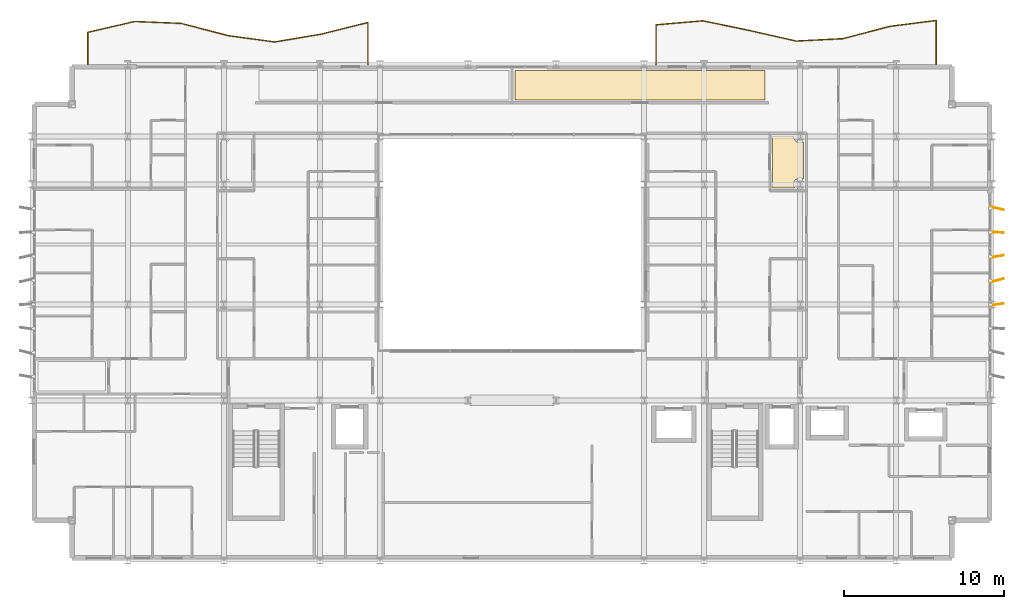
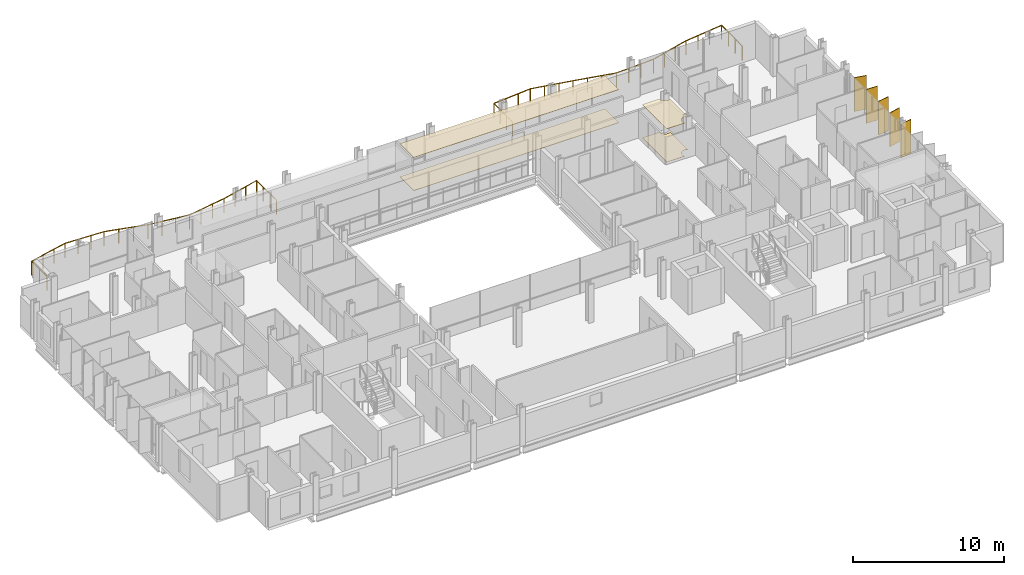
# One storey, part 38 of 38: 5 shading devices, 4 coverings, 2 railings.
"""IFC4 building model written with IfcOpenShell, lengths in metres."""

from ifc_helpers import new_model, si_unit, direction, frame, origin, origin_2d, place, context, subcontext, project, spatial, polyline, rectangle, circle, outline, extrude, material, layer, layer_set, type_object, element, save


model = new_model("IFC4")

# Units and contexts
model_context = context("Model", 3, precision=1e-05, world=origin(), true_north=direction((0.0, 1.0)))
body_context = subcontext(model_context, "Body", "Model", "MODEL_VIEW")
ifc_project = project(units=[si_unit("LENGTHUNIT", "METRE"), si_unit("AREAUNIT", "SQUARE_METRE"), si_unit("VOLUMEUNIT", "CUBIC_METRE"), si_unit("PLANEANGLEUNIT", "RADIAN"), si_unit("MASSUNIT", "GRAM", prefix="KILO")], contexts=[model_context])

# Site, building, storey
site_placement = place(None, origin())
site = spatial("IfcSite", under=ifc_project, at=site_placement, CompositionType="ELEMENT")
building_placement = place(site_placement, origin())
building = spatial("IfcBuilding", under=site, at=building_placement, Name="Brevholm Reach", CompositionType="ELEMENT")
storey_placement = place(building_placement, frame((0.0, 0.0, 71.39990234375)))
storey = spatial("IfcBuildingStorey", under=building, at=storey_placement, Name="L20", CompositionType="ELEMENT", Elevation=71.39990234375)

# Coverings
ifc_material_1 = material(Name="Moisture-Resistant Skimmed Gypsum Plasterboard Ceiling", Category="gypsum")
ifc_layer_1 = layer(ifc_material_1, 0.030029296875)
ifc_layer_set_1 = layer_set([ifc_layer_1], Name="Moisture-Resistant Skimmed Gypsum Plasterboard Ceiling")
covering_type_1 = type_object("IfcCoveringType", Name="COV-CLG-GYP", PredefinedType="CEILING", material=ifc_layer_set_1)
covering_1_placement = place(storey_placement, frame((0.0, 0.0, 2.670166015625)))
element("IfcCovering", 1, at=covering_1_placement, inside=storey, type_object=covering_type_1, Name="L20 Suspended Ceiling L20-59", PredefinedType="CEILING", context=body_context, shape_type="SweptSolid", body=[
    extrude(outline(polyline([(46.2919921875, 26.51611328125), (47.600830078125, 26.51611328125), (47.60009765625, 26.5), (47.601806640625, 26.460693359375), (47.607666015625, 26.422119140625), (47.6171875, 26.3837890625), (47.63037109375, 26.346923828125), (47.647216796875, 26.311279296875), (47.66748046875, 26.27783203125), (47.69091796875, 26.24609375), (47.71728515625, 26.21728515625), (47.74609375, 26.19091796875), (47.77783203125, 26.16748046875), (47.811279296875, 26.147216796875), (47.846923828125, 26.13037109375), (47.8837890625, 26.1171875), (47.922119140625, 26.107666015625), (47.960693359375, 26.101806640625), (48.0, 26.10009765625), (48.039306640625, 26.101806640625), (48.077880859375, 26.107666015625), (48.1162109375, 26.1171875), (48.153076171875, 26.13037109375), (48.188720703125, 26.147216796875), (48.216064453125, 26.163818359375), (48.216064453125, 23.836181640625), (48.188720703125, 23.852783203125), (48.153076171875, 23.86962890625), (48.1162109375, 23.8828125), (48.077880859375, 23.892333984375), (48.039306640625, 23.898193359375), (48.0, 23.89990234375), (47.960693359375, 23.898193359375), (47.922119140625, 23.892333984375), (47.8837890625, 23.8828125), (47.846923828125, 23.86962890625), (47.811279296875, 23.852783203125), (47.77783203125, 23.83251953125), (47.74609375, 23.80908203125), (47.71728515625, 23.78271484375), (47.69091796875, 23.75390625), (47.66748046875, 23.72216796875), (47.647216796875, 23.688720703125), (47.63037109375, 23.653076171875), (47.6171875, 23.6162109375), (47.607666015625, 23.577880859375), (47.601806640625, 23.539306640625), (47.60009765625, 23.5), (47.601806640625, 23.460693359375), (47.607666015625, 23.422119140625), (47.6171875, 23.3837890625), (47.63037109375, 23.346923828125), (47.647216796875, 23.311279296875), (47.666015625, 23.280029296875), (46.2919921875, 23.280029296875), (46.2919921875, 26.51611328125)])), origin(), (0.0, 0.0, 1.0), 0.030029296875),
])
covering_2_placement = place(storey_placement, frame((0.0, 0.0, 2.670166015625)))
element("IfcCovering", 2, at=covering_2_placement, inside=storey, type_object=covering_type_1, Name="L20 Suspended Ceiling L20-76", PredefinedType="CEILING", context=body_context, shape_type="SweptSolid", body=[
    extrude(outline(polyline([(32.626220703125, 30.6201171875), (32.6337890625, 30.6171875), (32.672119140625, 30.607666015625), (32.710693359375, 30.601806640625), (32.75, 30.60009765625), (32.789306640625, 30.601806640625), (32.827880859375, 30.607666015625), (32.8662109375, 30.6171875), (32.873779296875, 30.6201171875), (38.126220703125, 30.6201171875), (38.1337890625, 30.6171875), (38.172119140625, 30.607666015625), (38.210693359375, 30.601806640625), (38.25, 30.60009765625), (38.289306640625, 30.601806640625), (38.327880859375, 30.607666015625), (38.3662109375, 30.6171875), (38.373779296875, 30.6201171875), (41.876220703125, 30.6201171875), (41.8837890625, 30.6171875), (41.922119140625, 30.607666015625), (41.960693359375, 30.601806640625), (42.0, 30.60009765625), (42.039306640625, 30.601806640625), (42.077880859375, 30.607666015625), (42.1162109375, 30.6171875), (42.123779296875, 30.6201171875), (45.820068359375, 30.6201171875), (45.820068359375, 28.783935546875), (30.18408203125, 28.783935546875), (30.18408203125, 30.6201171875), (32.626220703125, 30.6201171875)])), origin(), (0.0, 0.0, 1.0), 0.030029296875),
])
ifc_material_2 = material(Name="Engineered European Oak Acoustic Plank Flooring", Category="timber")
ifc_layer_2 = layer(ifc_material_2, 0.02197265625)
ifc_layer_set_2 = layer_set([ifc_layer_2], Name="Engineered European Oak Acoustic Plank Flooring")
covering_type_2 = type_object("IfcCoveringType", Name="COV-FLR-OAK", PredefinedType="FLOORING", material=ifc_layer_set_2)
covering_3_placement = place(storey_placement, origin())
element("IfcCovering", 3, at=covering_3_placement, inside=storey, type_object=covering_type_2, Name="L20 Floor Finish L20-59", PredefinedType="FLOORING", context=body_context, shape_type="SweptSolid", body=[
    extrude(outline(polyline([(46.2919921875, 26.51611328125), (47.600830078125, 26.51611328125), (47.60009765625, 26.5), (47.601806640625, 26.460693359375), (47.607666015625, 26.422119140625), (47.6171875, 26.3837890625), (47.63037109375, 26.346923828125), (47.647216796875, 26.311279296875), (47.66748046875, 26.27783203125), (47.69091796875, 26.24609375), (47.71728515625, 26.21728515625), (47.74609375, 26.19091796875), (47.77783203125, 26.16748046875), (47.811279296875, 26.147216796875), (47.846923828125, 26.13037109375), (47.8837890625, 26.1171875), (47.922119140625, 26.107666015625), (47.960693359375, 26.101806640625), (48.0, 26.10009765625), (48.039306640625, 26.101806640625), (48.077880859375, 26.107666015625), (48.1162109375, 26.1171875), (48.153076171875, 26.13037109375), (48.188720703125, 26.147216796875), (48.216064453125, 26.163818359375), (48.216064453125, 23.836181640625), (48.188720703125, 23.852783203125), (48.153076171875, 23.86962890625), (48.1162109375, 23.8828125), (48.077880859375, 23.892333984375), (48.039306640625, 23.898193359375), (48.0, 23.89990234375), (47.960693359375, 23.898193359375), (47.922119140625, 23.892333984375), (47.8837890625, 23.8828125), (47.846923828125, 23.86962890625), (47.811279296875, 23.852783203125), (47.77783203125, 23.83251953125), (47.74609375, 23.80908203125), (47.71728515625, 23.78271484375), (47.69091796875, 23.75390625), (47.66748046875, 23.72216796875), (47.647216796875, 23.688720703125), (47.63037109375, 23.653076171875), (47.6171875, 23.6162109375), (47.607666015625, 23.577880859375), (47.601806640625, 23.539306640625), (47.60009765625, 23.5), (47.601806640625, 23.460693359375), (47.607666015625, 23.422119140625), (47.6171875, 23.3837890625), (47.63037109375, 23.346923828125), (47.647216796875, 23.311279296875), (47.666015625, 23.280029296875), (46.2919921875, 23.280029296875), (46.2919921875, 26.51611328125)])), origin(), (0.0, 0.0, 1.0), 0.022216796875),
])
ifc_material_3 = material(Name="Honed Portland-Aggregate Resin Terrazzo Flooring", Category="concrete")
ifc_layer_3 = layer(ifc_material_3, 0.031982421875)
ifc_layer_set_3 = layer_set([ifc_layer_3], Name="Honed Portland-Aggregate Resin Terrazzo Flooring")
covering_type_3 = type_object("IfcCoveringType", Name="COV-FLR-TRZ", PredefinedType="FLOORING", material=ifc_layer_set_3)
covering_4_placement = place(storey_placement, origin())
element("IfcCovering", 4, at=covering_4_placement, inside=storey, type_object=covering_type_3, Name="L20 Floor Finish L20-76", PredefinedType="FLOORING", context=body_context, shape_type="SweptSolid", body=[
    extrude(outline(polyline([(32.626220703125, 30.6201171875), (32.6337890625, 30.6171875), (32.672119140625, 30.607666015625), (32.710693359375, 30.601806640625), (32.75, 30.60009765625), (32.789306640625, 30.601806640625), (32.827880859375, 30.607666015625), (32.8662109375, 30.6171875), (32.873779296875, 30.6201171875), (38.126220703125, 30.6201171875), (38.1337890625, 30.6171875), (38.172119140625, 30.607666015625), (38.210693359375, 30.601806640625), (38.25, 30.60009765625), (38.289306640625, 30.601806640625), (38.327880859375, 30.607666015625), (38.3662109375, 30.6171875), (38.373779296875, 30.6201171875), (41.876220703125, 30.6201171875), (41.8837890625, 30.6171875), (41.922119140625, 30.607666015625), (41.960693359375, 30.601806640625), (42.0, 30.60009765625), (42.039306640625, 30.601806640625), (42.077880859375, 30.607666015625), (42.1162109375, 30.6171875), (42.123779296875, 30.6201171875), (45.820068359375, 30.6201171875), (45.820068359375, 28.783935546875), (30.18408203125, 28.783935546875), (30.18408203125, 30.6201171875), (32.626220703125, 30.6201171875)])), origin(), (0.0, 0.0, 1.0), 0.031982421875),
])

# Railings
ifc_material_4 = material(Name="Brushed Stainless Steel EN 1.4401 and Laminated Glass", Category="steel")
railing_type = type_object("IfcRailingType", Name="RAL-BALC-1150", PredefinedType="BALUSTRADE", material=ifc_material_4)
railing_1_placement = place(storey_placement, frame((56.5, 31.0, 0.0)))
element("IfcRailing", 5, at=railing_1_placement, inside=storey, type_object=railing_type, Name="L20 Guard Balustrade RAL-L20-BAL-NE", PredefinedType="BALUSTRADE", context=body_context, shape_type="SweptSolid", body=[
    extrude(circle(Radius=0.02392578125, at=origin_2d()), frame((0.0, 0.0, 1.1259765625), z_axis=(0.0, 1.0, 0.0), x_axis=(-1.0, 0.0, 0.0)), (0.0, 0.0, 1.0), 2.746337890625),
    extrude(circle(Radius=0.02392578125, at=origin_2d()), frame((0.0, 2.746337890625, 1.1259765625), z_axis=(-0.991815212116, -0.12768157665, 0.0), x_axis=(0.12768157665, -0.991815212116, 0.0)), (0.0, 0.0, 1.0), 2.94091796875),
    extrude(circle(Radius=0.02392578125, at=origin_2d()), frame((-2.916748046875, 2.370849609375, 1.1259765625), z_axis=(-0.967306983138, -0.25360836022, 0.0), x_axis=(0.25360836022, -0.967306983138, 0.0)), (0.0, 0.0, 1.0), 3.01513671875),
    extrude(circle(Radius=0.02392578125, at=origin_2d()), frame((-5.833251953125, 1.606201171875, 1.1259765625), z_axis=(-0.998720239463, -0.050575520622, 0.0), x_axis=(0.050575520622, -0.998720239463, 0.0)), (0.0, 0.0, 1.0), 2.92041015625),
    extrude(circle(Radius=0.02392578125, at=origin_2d()), frame((-8.75, 1.45849609375, 1.1259765625), z_axis=(-0.975083925705, 0.221836286102, 0.0), x_axis=(-0.221836286102, -0.975083925705, 0.0)), (0.0, 0.0, 1.0), 2.9912109375),
    extrude(circle(Radius=0.02392578125, at=origin_2d()), frame((-11.666748046875, 2.1220703125, 1.1259765625), z_axis=(-0.979367411888, 0.202087784221, 0.0), x_axis=(-0.202087784221, -0.979367411888, 0.0)), (0.0, 0.0, 1.0), 2.97802734375),
    extrude(circle(Radius=0.02392578125, at=origin_2d()), frame((-14.583251953125, 2.723876953125, 1.1259765625), z_axis=(-0.996282713287, -0.086143805376, 0.0), x_axis=(0.086143805376, -0.996282713287, 0.0)), (0.0, 0.0, 1.0), 2.927734375),
    extrude(circle(Radius=0.02392578125, at=origin_2d()), frame((-17.5, 2.4716796875, 1.1259765625), z_axis=(0.0, -1.0, 0.0), x_axis=(1.0, 0.0, 0.0)), (0.0, 0.0, 1.0), 2.4716796875),
    extrude(circle(Radius=0.02099609375, at=origin_2d()), origin(), (0.0, 0.0, 1.0), 1.101806640625),
    extrude(circle(Radius=0.02099609375, at=origin_2d()), frame((0.0, 0.91552734375, 0.0)), (0.0, 0.0, 1.0), 1.101806640625),
    extrude(circle(Radius=0.02099609375, at=origin_2d()), frame((0.0, 1.830810546875, 0.0)), (0.0, 0.0, 1.0), 1.101806640625),
    extrude(circle(Radius=0.02099609375, at=origin_2d()), frame((0.0, 2.746337890625, 0.0)), (0.0, 0.0, 1.0), 1.101806640625),
    extrude(circle(Radius=0.02099609375, at=origin_2d()), frame((-0.97216796875, 2.62109375, 0.0)), (0.0, 0.0, 1.0), 1.101806640625),
    extrude(circle(Radius=0.02099609375, at=origin_2d()), frame((-1.944580078125, 2.49609375, 0.0)), (0.0, 0.0, 1.0), 1.101806640625),
    extrude(circle(Radius=0.02099609375, at=origin_2d()), frame((-2.916748046875, 2.370849609375, 0.0)), (0.0, 0.0, 1.0), 1.101806640625),
    extrude(circle(Radius=0.02099609375, at=origin_2d()), frame((-3.888916015625, 2.115966796875, 0.0)), (0.0, 0.0, 1.0), 1.101806640625),
    extrude(circle(Radius=0.02099609375, at=origin_2d()), frame((-4.861083984375, 1.861083984375, 0.0)), (0.0, 0.0, 1.0), 1.101806640625),
    extrude(circle(Radius=0.02099609375, at=origin_2d()), frame((-5.833251953125, 1.606201171875, 0.0)), (0.0, 0.0, 1.0), 1.101806640625),
    extrude(circle(Radius=0.02099609375, at=origin_2d()), frame((-6.805419921875, 1.556884765625, 0.0)), (0.0, 0.0, 1.0), 1.101806640625),
    extrude(circle(Radius=0.02099609375, at=origin_2d()), frame((-7.77783203125, 1.5078125, 0.0)), (0.0, 0.0, 1.0), 1.101806640625),
    extrude(circle(Radius=0.02099609375, at=origin_2d()), frame((-8.75, 1.45849609375, 0.0)), (0.0, 0.0, 1.0), 1.101806640625),
    extrude(circle(Radius=0.02099609375, at=origin_2d()), frame((-9.72216796875, 1.6796875, 0.0)), (0.0, 0.0, 1.0), 1.101806640625),
    extrude(circle(Radius=0.02099609375, at=origin_2d()), frame((-10.694580078125, 1.90087890625, 0.0)), (0.0, 0.0, 1.0), 1.101806640625),
    extrude(circle(Radius=0.02099609375, at=origin_2d()), frame((-11.666748046875, 2.1220703125, 0.0)), (0.0, 0.0, 1.0), 1.101806640625),
    extrude(circle(Radius=0.02099609375, at=origin_2d()), frame((-12.638916015625, 2.32275390625, 0.0)), (0.0, 0.0, 1.0), 1.101806640625),
    extrude(circle(Radius=0.02099609375, at=origin_2d()), frame((-13.611083984375, 2.523193359375, 0.0)), (0.0, 0.0, 1.0), 1.101806640625),
    extrude(circle(Radius=0.02099609375, at=origin_2d()), frame((-14.583251953125, 2.723876953125, 0.0)), (0.0, 0.0, 1.0), 1.101806640625),
    extrude(circle(Radius=0.02099609375, at=origin_2d()), frame((-15.555419921875, 2.639892578125, 0.0)), (0.0, 0.0, 1.0), 1.101806640625),
    extrude(circle(Radius=0.02099609375, at=origin_2d()), frame((-16.52783203125, 2.5556640625, 0.0)), (0.0, 0.0, 1.0), 1.101806640625),
    extrude(circle(Radius=0.02099609375, at=origin_2d()), frame((-17.5, 2.4716796875, 0.0)), (0.0, 0.0, 1.0), 1.101806640625),
    extrude(circle(Radius=0.02099609375, at=origin_2d()), frame((-17.5, 1.647705078125, 0.0)), (0.0, 0.0, 1.0), 1.101806640625),
    extrude(circle(Radius=0.02099609375, at=origin_2d()), frame((-17.5, 0.823974609375, 0.0)), (0.0, 0.0, 1.0), 1.101806640625),
    extrude(circle(Radius=0.02099609375, at=origin_2d()), frame((-17.5, 0.0, 0.0)), (0.0, 0.0, 1.0), 1.101806640625),
])
railing_2_placement = place(storey_placement, frame((21.0, 31.0, 0.0)))
element("IfcRailing", 6, at=railing_2_placement, inside=storey, type_object=railing_type, Name="L20 Guard Balustrade RAL-L20-BAL-NW", PredefinedType="BALUSTRADE", context=body_context, shape_type="SweptSolid", body=[
    extrude(circle(Radius=0.02392578125, at=origin_2d()), frame((0.0, 0.0, 1.1259765625), z_axis=(0.0, 1.0, 0.0), x_axis=(-1.0, 0.0, 0.0)), (0.0, 0.0, 1.0), 2.62109375),
    extrude(circle(Radius=0.02392578125, at=origin_2d()), frame((0.0, 2.62109375, 1.1259765625), z_axis=(-0.969908046993, -0.243471518618, 0.0), x_axis=(0.243471518618, -0.969908046993, 0.0)), (0.0, 0.0, 1.0), 3.00732421875),
    extrude(circle(Radius=0.02392578125, at=origin_2d()), frame((-2.916748046875, 1.888916015625, 1.1259765625), z_axis=(-0.986326897089, -0.164800643445, 0.0), x_axis=(0.164800643445, -0.986326897089, 0.0)), (0.0, 0.0, 1.0), 2.95703125),
    extrude(circle(Radius=0.02392578125, at=origin_2d()), frame((-5.833251953125, 1.401611328125, 1.1259765625), z_axis=(-0.990776091279, 0.135509176626, 0.0), x_axis=(-0.135509176626, -0.990776091279, 0.0)), (0.0, 0.0, 1.0), 2.94384765625),
    extrude(circle(Radius=0.02392578125, at=origin_2d()), frame((-8.75, 1.800537109375, 1.1259765625), z_axis=(-0.967688627029, 0.252148212601, 0.0), x_axis=(-0.252148212601, -0.967688627029, 0.0)), (0.0, 0.0, 1.0), 3.01416015625),
    extrude(circle(Radius=0.02392578125, at=origin_2d()), frame((-11.666748046875, 2.560546875, 1.1259765625), z_axis=(-0.999139150441, 0.041484431493, 0.0), x_axis=(-0.041484431493, -0.999139150441, 0.0)), (0.0, 0.0, 1.0), 2.9189453125),
    extrude(circle(Radius=0.02392578125, at=origin_2d()), frame((-14.583251953125, 2.681640625, 1.1259765625), z_axis=(-0.974086615793, -0.226175296912, 0.0), x_axis=(0.226175296912, -0.974086615793, 0.0)), (0.0, 0.0, 1.0), 2.994384765625),
    extrude(circle(Radius=0.02392578125, at=origin_2d()), frame((-17.5, 2.00439453125, 1.1259765625), z_axis=(0.0, -1.0, 0.0), x_axis=(1.0, 0.0, 0.0)), (0.0, 0.0, 1.0), 2.00439453125),
    extrude(circle(Radius=0.02099609375, at=origin_2d()), origin(), (0.0, 0.0, 1.0), 1.101806640625),
    extrude(circle(Radius=0.02099609375, at=origin_2d()), frame((0.0, 0.873779296875, 0.0)), (0.0, 0.0, 1.0), 1.101806640625),
    extrude(circle(Radius=0.02099609375, at=origin_2d()), frame((0.0, 1.747314453125, 0.0)), (0.0, 0.0, 1.0), 1.101806640625),
    extrude(circle(Radius=0.02099609375, at=origin_2d()), frame((0.0, 2.62109375, 0.0)), (0.0, 0.0, 1.0), 1.101806640625),
    extrude(circle(Radius=0.02099609375, at=origin_2d()), frame((-0.97216796875, 2.376953125, 0.0)), (0.0, 0.0, 1.0), 1.101806640625),
    extrude(circle(Radius=0.02099609375, at=origin_2d()), frame((-1.944580078125, 2.133056640625, 0.0)), (0.0, 0.0, 1.0), 1.101806640625),
    extrude(circle(Radius=0.02099609375, at=origin_2d()), frame((-2.916748046875, 1.888916015625, 0.0)), (0.0, 0.0, 1.0), 1.101806640625),
    extrude(circle(Radius=0.02099609375, at=origin_2d()), frame((-3.888916015625, 1.7265625, 0.0)), (0.0, 0.0, 1.0), 1.101806640625),
    extrude(circle(Radius=0.02099609375, at=origin_2d()), frame((-4.861083984375, 1.56396484375, 0.0)), (0.0, 0.0, 1.0), 1.101806640625),
    extrude(circle(Radius=0.02099609375, at=origin_2d()), frame((-5.833251953125, 1.401611328125, 0.0)), (0.0, 0.0, 1.0), 1.101806640625),
    extrude(circle(Radius=0.02099609375, at=origin_2d()), frame((-6.805419921875, 1.53466796875, 0.0)), (0.0, 0.0, 1.0), 1.101806640625),
    extrude(circle(Radius=0.02099609375, at=origin_2d()), frame((-7.77783203125, 1.66748046875, 0.0)), (0.0, 0.0, 1.0), 1.101806640625),
    extrude(circle(Radius=0.02099609375, at=origin_2d()), frame((-8.75, 1.800537109375, 0.0)), (0.0, 0.0, 1.0), 1.101806640625),
    extrude(circle(Radius=0.02099609375, at=origin_2d()), frame((-9.72216796875, 2.053955078125, 0.0)), (0.0, 0.0, 1.0), 1.101806640625),
    extrude(circle(Radius=0.02099609375, at=origin_2d()), frame((-10.694580078125, 2.30712890625, 0.0)), (0.0, 0.0, 1.0), 1.101806640625),
    extrude(circle(Radius=0.02099609375, at=origin_2d()), frame((-11.666748046875, 2.560546875, 0.0)), (0.0, 0.0, 1.0), 1.101806640625),
    extrude(circle(Radius=0.02099609375, at=origin_2d()), frame((-12.638916015625, 2.600830078125, 0.0)), (0.0, 0.0, 1.0), 1.101806640625),
    extrude(circle(Radius=0.02099609375, at=origin_2d()), frame((-13.611083984375, 2.641357421875, 0.0)), (0.0, 0.0, 1.0), 1.101806640625),
    extrude(circle(Radius=0.02099609375, at=origin_2d()), frame((-14.583251953125, 2.681640625, 0.0)), (0.0, 0.0, 1.0), 1.101806640625),
    extrude(circle(Radius=0.02099609375, at=origin_2d()), frame((-15.555419921875, 2.455810546875, 0.0)), (0.0, 0.0, 1.0), 1.101806640625),
    extrude(circle(Radius=0.02099609375, at=origin_2d()), frame((-16.52783203125, 2.230224609375, 0.0)), (0.0, 0.0, 1.0), 1.101806640625),
    extrude(circle(Radius=0.02099609375, at=origin_2d()), frame((-17.5, 2.00439453125, 0.0)), (0.0, 0.0, 1.0), 1.101806640625),
    extrude(circle(Radius=0.02099609375, at=origin_2d()), frame((-17.5, 1.002197265625, 0.0)), (0.0, 0.0, 1.0), 1.101806640625),
    extrude(circle(Radius=0.02099609375, at=origin_2d()), frame((-17.5, 0.0, 0.0)), (0.0, 0.0, 1.0), 1.101806640625),
])

# Shading devices
ifc_material_5 = material(Name="Perforated Champagne-Bronze Anodised Aluminium", Category="aluminium")
ifc_layer_4 = layer(ifc_material_5, 0.054931640625)
ifc_layer_set_4 = layer_set([ifc_layer_4], Name="Perforated Champagne-Bronze Anodised Aluminium")
shading_device_type = type_object("IfcShadingDeviceType", Name="SHD-FIN-850", PredefinedType="USERDEFINED", material=ifc_layer_set_4)
for number, where, z_axis, x_axis, name in (
    (7, (60.31494140625, 16.0, 0.070068359375), (0.0, 0.0, 1.0), (0.989994125718, 0.141108578916, 0.0), "L20 Perforated Solar Screen Fin 4"),
    (8, (60.31494140625, 17.5, 0.070068359375), (0.0, 0.0, 1.0), (0.970384330107, 0.2415662474, 0.0), "L20 Perforated Solar Screen Fin 5"),
    (9, (60.31494140625, 19.0, 0.070068359375), (0.0, 0.0, 1.0), (0.986802072291, 0.16193106596, 0.0), "L20 Perforated Solar Screen Fin 6"),
    (10, (60.31494140625, 20.5, 0.070068359375), (0.0, 0.0, 1.0), (0.999153258117, -0.041143247257, 0.0), "L20 Perforated Solar Screen Fin 7"),
    (11, (60.31494140625, 22.0, 0.070068359375), (0.0, 0.0, 1.0), (0.977197765616, -0.212331172641, 0.0), "L20 Perforated Solar Screen Fin 8"),
):
    element("IfcShadingDevice", number, at=place(storey_placement, frame(where, z_axis=z_axis, x_axis=x_axis)), inside=storey, type_object=shading_device_type, Name=name, ObjectType="SCREEN", PredefinedType="USERDEFINED", context=body_context, shape_type="SweptSolid", body=[
        extrude(rectangle(XDim=0.85009765625, YDim=0.054931640625, at=origin_2d()), origin(), (0.0, 0.0, 1.0), 2.72998046875),
    ])

save(model, "model.ifc")
